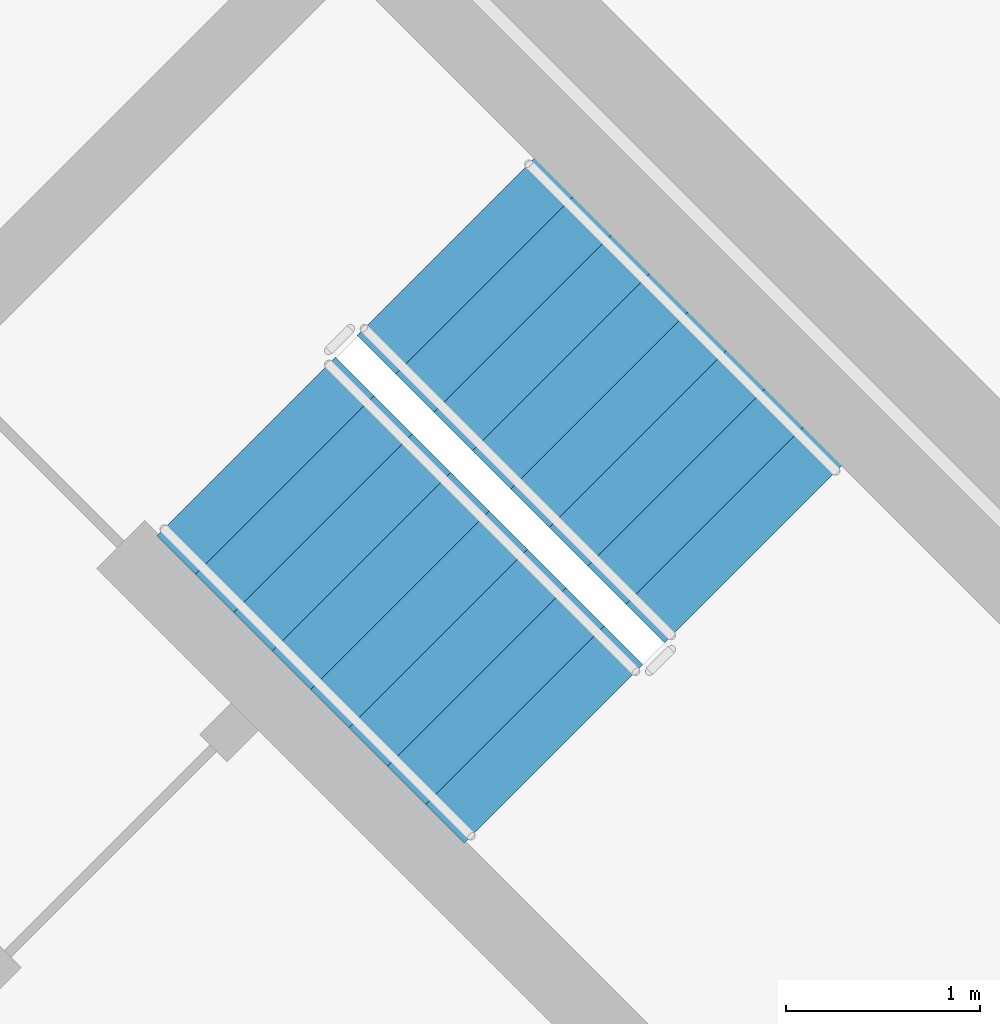
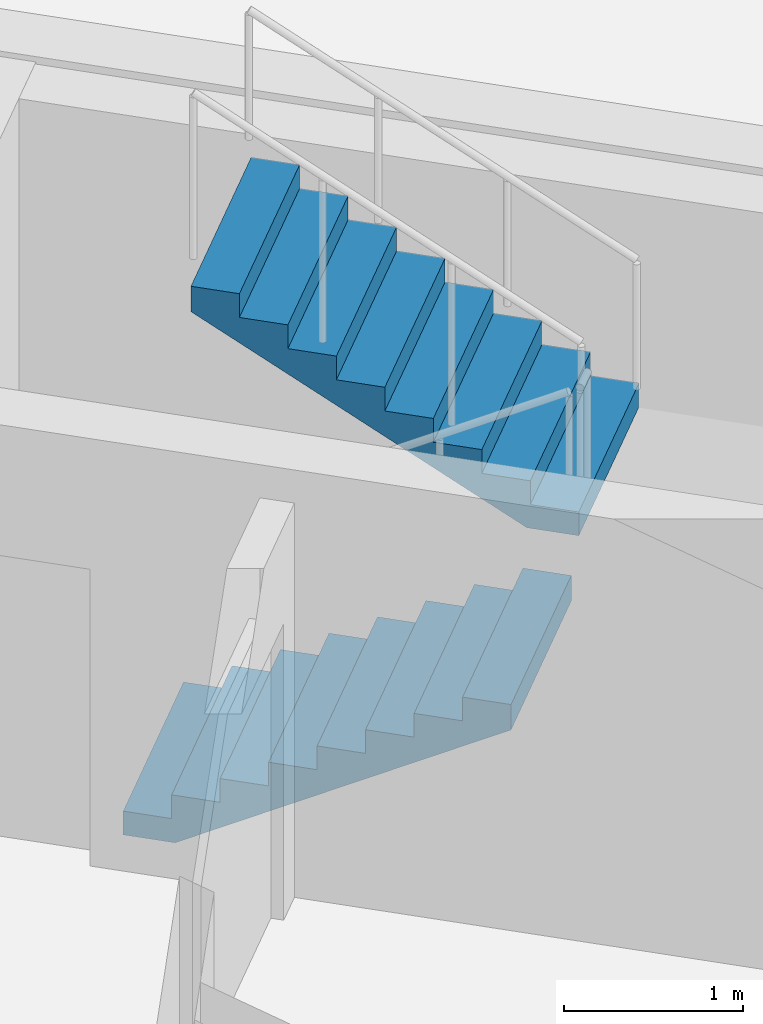
# One storey, part 14 of 16: 2 stair flights, 1 element without a shape of its own.
"""IFC4 building model written with IfcOpenShell, lengths in metres."""

from ifc_helpers import new_model, si_unit, direction, frame, origin, place, context, subcontext, project, spatial, polyline, outline, extrude, material, type_object, element, aggregate, save


model = new_model("IFC4")

# Units and contexts
model_context = context("Model", 3, precision=1e-05, world=origin(), true_north=direction((0.0, 1.0)))
body_context = subcontext(model_context, "Body", "Model", "MODEL_VIEW")
ifc_project = project(units=[si_unit("LENGTHUNIT", "METRE"), si_unit("AREAUNIT", "SQUARE_METRE"), si_unit("VOLUMEUNIT", "CUBIC_METRE"), si_unit("PLANEANGLEUNIT", "RADIAN"), si_unit("MASSUNIT", "GRAM", prefix="KILO")], contexts=[model_context])

# Site, building, storey
site_placement = place(None, origin())
site = spatial("IfcSite", under=ifc_project, at=site_placement, CompositionType="ELEMENT")
building_placement = place(site_placement, origin())
building = spatial("IfcBuilding", under=site, at=building_placement, Name="Cununo Teusaquillo Station Towers", CompositionType="ELEMENT")
storey_placement = place(building_placement, frame((0.0, 0.0, 211.2099609375)))
storey = spatial("IfcBuildingStorey", under=building, at=storey_placement, Name="L67", CompositionType="ELEMENT", Elevation=211.2099609375)

# Stair, stair flights
ifc_material_1 = material(Name="Concrete C50/60", Category="concrete")
stair_type = type_object("IfcStairType", Name="ST-TWR-1300", PredefinedType="HALF_TURN_STAIR", material=ifc_material_1)
stair_placement = place(storey_placement, origin())
stair = element("IfcStair", 1, at=stair_placement, inside=storey, type_object=stair_type, Name="L67 Tower B Protected Core Exit Stair 2", PredefinedType="HALF_TURN_STAIR")
ifc_material_2 = material(Name="Concrete C50/60", Category="concrete")
stair_flight_type = type_object("IfcStairFlightType", Name="SFL-TWR-1300", PredefinedType="STRAIGHT", material=ifc_material_2)
stair_flight_1_placement = place(storey_placement, frame((60.54052734375, 25.1787109375, 0.0), z_axis=(0.0, 0.0, 1.0), x_axis=(0.707106781187, -0.707106781187, 0.0)))
stair_flight_1 = element("IfcStairFlight", 2, at=stair_flight_1_placement, type_object=stair_flight_type, Name="ST-T2-2 flight 1", NumberOfRisers=9, NumberOfTreads=8, PredefinedType="STRAIGHT", RiserHeight=0.161666667, TreadLength=0.28, context=body_context, shape_type="SweptSolid", body=[
    extrude(outline(polyline([(0.0, 0.0), (0.0, 0.16162109375), (0.280029296875, 0.16162109375), (0.280029296875, 0.3232421875), (0.56005859375, 0.3232421875), (0.56005859375, 0.485107421875), (0.840087890625, 0.485107421875), (0.840087890625, 0.646728515625), (1.1201171875, 0.646728515625), (1.1201171875, 0.808349609375), (1.39990234375, 0.808349609375), (1.39990234375, 0.969970703125), (1.679931640625, 0.969970703125), (1.679931640625, 1.131591796875), (1.9599609375, 1.131591796875), (1.9599609375, 1.293212890625), (2.239990234375, 1.293212890625), (2.239990234375, 1.455078125), (2.239990234375, 1.1201171875), (0.2998046875, 0.0), (0.0, 0.0)])), frame((0.0, 0.64990234375, 0.0), z_axis=(0.0, -1.0, 0.0), x_axis=(1.0, 0.0, 0.0)), (0.0, 0.0, 1.0), 1.300048828125),
])
stair_flight_2_placement = place(storey_placement, frame((63.15673828125, 24.627197265625, 1.455078125), z_axis=(0.0, 0.0, 1.0), x_axis=(-0.707106781187, 0.707106781187, 0.0)))
stair_flight_2 = element("IfcStairFlight", 3, at=stair_flight_2_placement, type_object=stair_flight_type, Name="ST-T2-2 flight 2", NumberOfRisers=9, NumberOfTreads=8, PredefinedType="STRAIGHT", RiserHeight=0.161666667, TreadLength=0.28, context=body_context, shape_type="SweptSolid", body=[
    extrude(outline(polyline([(0.0, 0.0), (0.0, 0.16162109375), (0.280029296875, 0.16162109375), (0.280029296875, 0.3232421875), (0.56005859375, 0.3232421875), (0.56005859375, 0.485107421875), (0.840087890625, 0.485107421875), (0.840087890625, 0.646728515625), (1.1201171875, 0.646728515625), (1.1201171875, 0.808349609375), (1.39990234375, 0.808349609375), (1.39990234375, 0.969970703125), (1.679931640625, 0.969970703125), (1.679931640625, 1.131591796875), (1.9599609375, 1.131591796875), (1.9599609375, 1.293212890625), (2.239990234375, 1.293212890625), (2.239990234375, 1.455078125), (2.239990234375, 1.1201171875), (0.2998046875, 0.0), (0.0, 0.0)])), frame((0.0, 0.64990234375, 0.0), z_axis=(0.0, -1.0, 0.0), x_axis=(1.0, 0.0, 0.0)), (0.0, 0.0, 1.0), 1.300048828125),
])
aggregate(stair, [stair_flight_1, stair_flight_2])

save(model, "model.ifc")
